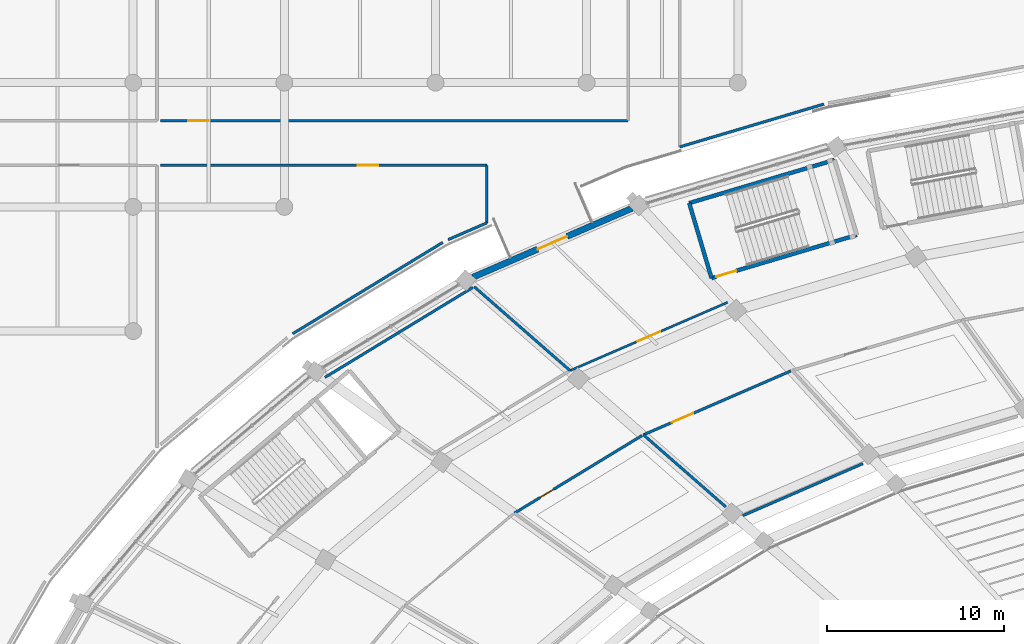
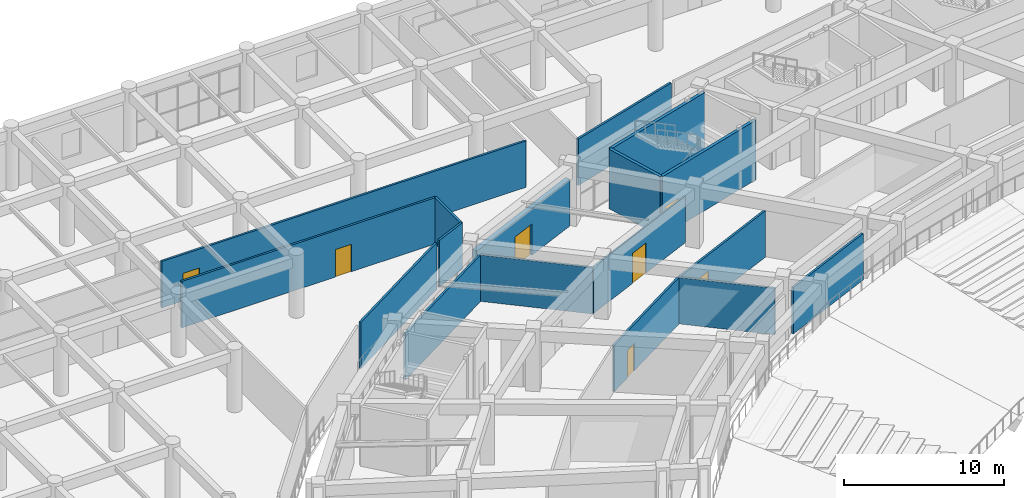
# One storey, part 110 of 152: 17 walls, 7 doors, 7 openings.
"""IFC4 building model written with IfcOpenShell, lengths in metres."""

import ifcopenshell
import ifcopenshell.guid

model = None  # the IFC model being written
_history = None  # IfcOwnerHistory: only IFC2X3 demands one
_inside = {}  # id of a spatial element -> (the spatial element, [elements in it])
_under = {}  # id of a project, library or spatial element -> (it, [spatial elements below it])
_declared = {}  # id of a project -> (the project, [libraries it declares])
_typed = {}  # id of a type object -> (the type object, [elements of that type])
_made_of = {}  # id of a material, layer set ... -> (it, [elements and type objects made of it])


def new_model(schema):
    """Start an empty IFC model of exactly this schema.

    Asked for "IFC4X3", IfcOpenShell would pick the latest addendum, in which some entities
    have other attributes; the version numbers below select the first issue.
    IFC2X3 requires an IfcOwnerHistory on every rooted entity: one is made here for all.
    """
    global model, _history
    if schema == "IFC4X3":
        model = ifcopenshell.file(schema_version=(4, 3, 0, 0))
    else:
        model = ifcopenshell.file(schema=schema)
    _inside.clear()
    _under.clear()
    _declared.clear()
    _typed.clear()
    _made_of.clear()
    _history = None
    if model.schema == "IFC2X3":
        org = make("IfcOrganization", Name="unknown")
        user = make(
            "IfcPersonAndOrganization",
            ThePerson=make("IfcPerson", FamilyName="unknown"),
            TheOrganization=org,
        )
        app = make(
            "IfcApplication",
            ApplicationDeveloper=org,
            Version="unknown",
            ApplicationFullName="unknown",
            ApplicationIdentifier="unknown",
        )
        _history = make(
            "IfcOwnerHistory",
            OwningUser=user,
            OwningApplication=app,
            ChangeAction="ADDED",
            CreationDate=0,
        )
    return model


def make(cls, **values):
    """One entity of the class cls with the attributes given. An attribute that is None is left unset."""
    return model.create_entity(
        cls, **{name: value for name, value in values.items() if value is not None}
    )


def rooted(cls, **values):
    """An entity with a GlobalId (a new one), such as an element, a storey or a relation."""
    return make(cls, GlobalId=ifcopenshell.guid.new(), OwnerHistory=_history, **values)


def si_unit(unit_type, name, prefix=None):
    """IfcSIUnit, for example si_unit("LENGTHUNIT", "METRE", prefix="MILLI")."""
    return make("IfcSIUnit", UnitType=unit_type, Prefix=prefix, Name=name)


def assignment(units):
    """IfcUnitAssignment: the units of a project."""
    return None if units is None else make("IfcUnitAssignment", Units=units)


def point(xyz):
    """IfcCartesianPoint."""
    return None if xyz is None else make("IfcCartesianPoint", Coordinates=xyz)


def direction(xyz):
    """IfcDirection."""
    return None if xyz is None else make("IfcDirection", DirectionRatios=xyz)


def frame(location, z_axis=None, x_axis=None):
    """IfcAxis2Placement3D, a coordinate frame: its origin and axes. An axis left out is left unset."""
    return make(
        "IfcAxis2Placement3D",
        Location=point(location),
        Axis=direction(z_axis),
        RefDirection=direction(x_axis),
    )


def frame_2d(location, x_axis=None):
    """IfcAxis2Placement2D, a coordinate frame in the plane: its origin and x axis."""
    return make(
        "IfcAxis2Placement2D", Location=point(location), RefDirection=direction(x_axis)
    )


def origin():
    """The frame at (0, 0, 0) with its axes left unset."""
    return frame((0.0, 0.0, 0.0))


def place(relative_to, where):
    """IfcLocalPlacement: puts the frame where relative to a parent placement (None: the world)."""
    return make(
        "IfcLocalPlacement", PlacementRelTo=relative_to, RelativePlacement=where
    )


def context(
    kind, dimensions, precision=None, world=None, true_north=None, identifier=None
):
    """IfcGeometricRepresentationContext, for example the 3D "Model" context."""
    return make(
        "IfcGeometricRepresentationContext",
        ContextIdentifier=identifier,
        ContextType=kind,
        CoordinateSpaceDimension=dimensions,
        Precision=precision,
        WorldCoordinateSystem=world,
        TrueNorth=true_north,
    )


def subcontext(parent, identifier, kind, view, scale=None):
    """IfcGeometricRepresentationSubContext, for example "Body" below "Model"."""
    return make(
        "IfcGeometricRepresentationSubContext",
        ContextIdentifier=identifier,
        ContextType=kind,
        ParentContext=parent,
        TargetScale=scale,
        TargetView=view,
    )


def project(units=None, contexts=None):
    """IfcProject with its units and contexts."""
    return rooted(
        "IfcProject",
        Name="project",
        RepresentationContexts=contexts,
        UnitsInContext=assignment(units),
    )


def spatial(cls, under=None, at=None, **own):
    """A site, building, storey or space (cls), placed at a placement, below another one or the project."""
    s = rooted(cls, ObjectPlacement=at, **own)
    if under is not None:
        _under.setdefault(under.id(), (under, []))[1].append(s)
    return s


def profile(cls, at=None, kind="AREA", **sizes):
    """A parametric profile (cls). Its sizes go by their IFC names, for example OverallWidth=200.0."""
    return make(cls, ProfileType=kind, Position=at, **sizes)


def rectangle(**sizes):
    """IfcRectangleProfileDef."""
    return profile("IfcRectangleProfileDef", **sizes)


def extrude(swept, where, along, depth):
    """IfcExtrudedAreaSolid: the profile swept, set in the frame where, extruded along a direction by depth."""
    return make(
        "IfcExtrudedAreaSolid",
        SweptArea=swept,
        Position=where,
        ExtrudedDirection=direction(along),
        Depth=depth,
    )


def shape(context_of_items, identifier, shape_type, items):
    """IfcShapeRepresentation: the items that make up one representation, for example the "Body"."""
    return make(
        "IfcShapeRepresentation",
        ContextOfItems=context_of_items,
        RepresentationIdentifier=identifier,
        RepresentationType=shape_type,
        Items=items,
    )


def material(Name=None, Category=None):
    """IfcMaterial."""
    return make("IfcMaterial", Name=Name, Category=Category)


def layer(
    of_material, thickness, ventilated=None, Name=None, Category=None, Priority=None
):
    """IfcMaterialLayer: one layer of a wall or slab, of a material (None: an air gap)."""
    return make(
        "IfcMaterialLayer",
        Material=of_material,
        LayerThickness=thickness,
        IsVentilated=ventilated,
        Name=Name,
        Category=Category,
        Priority=Priority,
    )


def layer_set(layers, Name=None):
    """IfcMaterialLayerSet."""
    return make("IfcMaterialLayerSet", MaterialLayers=layers, LayerSetName=Name)


def made_of(thing, what):
    """Note that an element or type object is made of a material, layer set ...; save() writes the relation."""
    if what is not None:
        _made_of.setdefault(what.id(), (what, []))[1].append(thing)
    return thing


def type_object(cls, material=None, **own):
    """A type object (cls), such as IfcWallType, which elements share."""
    return made_of(rooted(cls, **own), material)


def element(
    cls,
    number,
    at=None,
    inside=None,
    cuts=None,
    type_object=None,
    material=None,
    context=None,
    identifier="Body",
    shape_type=None,
    held_by="IfcProductDefinitionShape",
    body=None,
    shapes=None,
    **own,
):
    """One element of the class cls, such as IfcWall. Its Tag is "e" and its number.

    at: its placement. inside: the storey or other place that contains it. cuts: it is an
    opening in that element (IfcRelVoidsElement). A single representation is given by context,
    identifier, shape_type and body (its items); several are given by shapes. held_by: the class
    of the entity that holds the representations. save() writes the other relations.
    """
    e = rooted(cls, Tag="e%d" % number, ObjectPlacement=at, **own)
    if body is not None:
        shapes = [shape(context, identifier, shape_type, body)]
    if shapes is not None:
        e.Representation = make(held_by, Representations=shapes)
    if inside is not None:
        _inside.setdefault(inside.id(), (inside, []))[1].append(e)
    if cuts is not None:
        rooted(
            "IfcRelVoidsElement", RelatingBuildingElement=cuts, RelatedOpeningElement=e
        )
    if type_object is not None:
        _typed.setdefault(type_object.id(), (type_object, []))[1].append(e)
    return made_of(e, material)


def fill(opening, filler):
    """IfcRelFillsElement: the door or window that sits in an opening."""
    return rooted(
        "IfcRelFillsElement",
        RelatingOpeningElement=opening,
        RelatedBuildingElement=filler,
    )


def aggregate(whole, parts):
    """IfcRelAggregates: a whole, such as a stair, and the parts it consists of."""
    return rooted("IfcRelAggregates", RelatingObject=whole, RelatedObjects=parts)


def save(model, path):
    """Write the relations noted so far, then the file.

    IfcRelAggregates (storeys below a building ...), IfcRelContainedInSpatialStructure (elements
    in a storey), IfcRelDefinesByType, IfcRelAssociatesMaterial and IfcRelDeclares: one each for
    every whole, place, type object, material and project.
    """
    for whole, parts in _under.values():
        aggregate(whole, parts)
    for where, things in _inside.values():
        rooted(
            "IfcRelContainedInSpatialStructure",
            RelatedElements=things,
            RelatingStructure=where,
        )
    for kind, things in _typed.values():
        rooted("IfcRelDefinesByType", RelatedObjects=things, RelatingType=kind)
    for what, things in _made_of.values():
        rooted("IfcRelAssociatesMaterial", RelatedObjects=things, RelatingMaterial=what)
    for by, libraries in _declared.values():
        rooted("IfcRelDeclares", RelatingContext=by, RelatedDefinitions=libraries)
    model.write(path)


model = new_model("IFC4")

# Units and contexts
model_context = context("Model", 3, precision=1e-05, world=origin(), true_north=direction((0.0, 1.0)))
body_context = subcontext(model_context, "Body", "Model", "MODEL_VIEW")
ifc_project = project(units=[si_unit("LENGTHUNIT", "METRE"), si_unit("AREAUNIT", "SQUARE_METRE"), si_unit("VOLUMEUNIT", "CUBIC_METRE"), si_unit("PLANEANGLEUNIT", "RADIAN"), si_unit("MASSUNIT", "GRAM", prefix="KILO")], contexts=[model_context])

# Site, building, storey
site_placement = place(None, origin())
site = spatial("IfcSite", under=ifc_project, at=site_placement, CompositionType="ELEMENT")
building_placement = place(site_placement, origin())
building = spatial("IfcBuilding", under=site, at=building_placement, Name="Mphavela Belvedere Stadium", CompositionType="ELEMENT")
storey_placement = place(building_placement, frame((0.0, 0.0, 5.39990234375)))
storey = spatial("IfcBuildingStorey", under=building, at=storey_placement, Name="L01", CompositionType="ELEMENT", Elevation=5.39990234375)

# Walls
ifc_material_1 = material(Name="Concrete C40/50", Category="concrete")
ifc_layer_1 = layer(ifc_material_1, 0.219970703125)
ifc_layer_set_1 = layer_set([ifc_layer_1], Name="Concrete C40/50")
wall_type_1 = type_object("IfcWallType", Name="WAL-CORE-SHEAR-220", PredefinedType="SHEAR", material=ifc_layer_set_1)
wall_1_placement = place(storey_placement, frame((56.89501953125, 153.214111328125, 0.0), z_axis=(0.0, 0.0, 1.0), x_axis=(0.958675743706, 0.284500998997, 0.0)))
element("IfcWall", 1, at=wall_1_placement, inside=storey, type_object=wall_type_1, Name="Core P03 shear wall L01 rear", PredefinedType="SHEAR", context=body_context, shape_type="SweptSolid", body=[
    extrude(rectangle(XDim=8.540283203125, YDim=0.219970703125, at=frame_2d((4.27001953125, 0.0))), origin(), (0.0, 0.0, 1.0), 4.550048828125),
])
wall_2_placement = place(storey_placement, frame((58.14990234375, 148.986083984375, 0.0), z_axis=(0.0, 0.0, 1.0), x_axis=(-0.284533106789, 0.958666214665, 0.0)))
element("IfcWall", 2, at=wall_2_placement, inside=storey, type_object=wall_type_1, Name="Core P03 shear wall L01 left", PredefinedType="SHEAR", context=body_context, shape_type="SweptSolid", body=[
    extrude(rectangle(XDim=4.410400390625, YDim=0.219970703125, at=frame_2d((2.205078125, 0.0))), origin(), (0.0, 0.0, 1.0), 4.550048828125),
])

# Wall, opening, door
wall_3_placement = place(storey_placement, frame((58.14990234375, 148.986083984375, 0.0), z_axis=(0.0, 0.0, 1.0), x_axis=(0.958665631999, 0.284535069937, 0.0)))
wall_3 = element("IfcWall", 3, at=wall_3_placement, inside=storey, type_object=wall_type_1, Name="Core P03 shear wall L01 front", PredefinedType="SHEAR", context=body_context, shape_type="SweptSolid", body=[
    extrude(rectangle(XDim=8.5400390625, YDim=0.219970703125, at=frame_2d((4.27001953125, 0.0))), origin(), (0.0, 0.0, 1.0), 4.550048828125),
])
opening_1_placement = place(wall_3_placement, frame((0.300048828125, 0.0, 0.0)))
opening_1 = element("IfcOpeningElement", 4, at=opening_1_placement, cuts=wall_3, Name="Opening SD-078", PredefinedType="OPENING", context=body_context, shape_type="SweptSolid", body=[
    extrude(rectangle(XDim=1.14990234375, YDim=2.14990234375, at=frame_2d((0.574951171875, 1.074951171875))), frame((0.0, 0.1201171875, 0.0), z_axis=(0.0, -1.0, 0.0), x_axis=(1.0, 0.0, 0.0)), (0.0, 0.0, 1.0), 0.239990234375),
])
ifc_material_2 = material(Name="Steel acoustic fire-resisting stair doorset", Category="steel")
door_type_1 = type_object("IfcDoorType", Name="DR-STAIR-FIRE-1150", OperationType="NOTDEFINED", PredefinedType="DOOR", material=ifc_material_2)
door_1_placement = place(opening_1_placement, origin())
door_1 = element("IfcDoor", 5, at=door_1_placement, inside=storey, type_object=door_type_1, Name="Escape stair fire door P03 L01", OperationType="SINGLE_SWING_RIGHT", OverallHeight=2.14990234375, OverallWidth=1.14990234375, PredefinedType="DOOR", context=body_context, shape_type="SweptSolid", body=[
    extrude(rectangle(XDim=1.14990234375, YDim=2.14990234375, at=frame_2d((0.574951171875, 1.074951171875))), frame((0.0, 0.02490234375, 0.0), z_axis=(0.0, -1.0, 0.0), x_axis=(1.0, 0.0, 0.0)), (0.0, 0.0, 1.0), 0.050048828125),
])
fill(opening_1, door_1)

ifc_material_3 = material(Name="Honed ashlar limestone masonry", Category="masonry")
ifc_layer_2 = layer(ifc_material_3, 0.35009765625)
ifc_layer_set_2 = layer_set([ifc_layer_2], Name="Honed ashlar limestone masonry")
wall_type_2 = type_object("IfcWallType", Name="WAL-EXT-ASHLAR-350", PredefinedType="STANDARD", material=ifc_layer_set_2)
wall_4_placement = place(storey_placement, frame((44.69189453125, 149.029052734375, 0.0), z_axis=(0.0, 0.0, 1.0), x_axis=(0.91749374913, 0.397750198375, 0.0)))
wall_4 = element("IfcWall", 6, at=wall_4_placement, inside=storey, type_object=wall_type_2, Name="Classical link portal wall L01-17", PredefinedType="STANDARD", context=body_context, shape_type="SweptSolid", body=[
    extrude(rectangle(XDim=9.790283203125, YDim=0.35009765625, at=frame_2d((4.89501953125, 0.0))), origin(), (0.0, 0.0, 1.0), 3.570068359375),
])
opening_2_placement = place(wall_4_placement, frame((3.9951171875, 0.0, 0.0)))
opening_2 = element("IfcOpeningElement", 7, at=opening_2_placement, cuts=wall_4, Name="Opening ID-9116", PredefinedType="OPENING", context=body_context, shape_type="SweptSolid", body=[
    extrude(rectangle(XDim=1.800048828125, YDim=2.39990234375, at=frame_2d((0.89990234375, 1.199951171875))), frame((0.0, 0.18505859375, 0.0), z_axis=(0.0, -1.0, 0.0), x_axis=(1.0, 0.0, 0.0)), (0.0, 0.0, 1.0), 0.3701171875),
])
ifc_material_4 = material(Name="Glazed bronze-anodised steel exit doorset", Category="steel")
door_type_2 = type_object("IfcDoorType", Name="DR-EXT-01", OperationType="NOTDEFINED", PredefinedType="DOOR", material=ifc_material_4)
door_2_placement = place(opening_2_placement, origin())
door_2 = element("IfcDoor", 8, at=door_2_placement, inside=storey, type_object=door_type_2, Name="Wing promenade link doorset L01-17", OperationType="DOUBLE_DOOR_SINGLE_SWING", OverallHeight=2.39990234375, OverallWidth=1.800048828125, PredefinedType="DOOR", context=body_context, shape_type="SweptSolid", body=[
    extrude(rectangle(XDim=1.800048828125, YDim=2.39990234375, at=frame_2d((0.89990234375, 1.199951171875))), frame((0.0, 0.02490234375, 0.0), z_axis=(0.0, -1.0, 0.0), x_axis=(1.0, 0.0, 0.0)), (0.0, 0.0, 1.0), 0.050048828125),
])
fill(opening_2, door_2)

ifc_material_5 = material(Name="Moisture-resistant sanitary partition assembly")
ifc_layer_3 = layer(ifc_material_5, 0.125)
ifc_layer_set_3 = layer_set([ifc_layer_3], Name="Moisture-resistant sanitary partition assembly")
wall_type_3 = type_object("IfcWallType", Name="WAL-PART-125", PredefinedType="PARTITIONING", material=ifc_layer_set_3)
wall_5_placement = place(storey_placement, frame((59.0537109375, 147.61865234375, 0.0), z_axis=(0.0, 0.0, 1.0), x_axis=(-0.917508957037, -0.39771511633, 0.0)))
wall_5 = element("IfcWall", 9, at=wall_5_placement, inside=storey, type_object=wall_type_3, Name="Room L01-76 corridor partition", PredefinedType="PARTITIONING", context=body_context, shape_type="SweptSolid", body=[
    extrude(rectangle(XDim=9.67138671875, YDim=0.125, at=frame_2d((4.835693359375, 0.0))), origin(), (0.0, 0.0, 1.0), 3.550048828125),
])
opening_3_placement = place(wall_5_placement, frame((4.1357421875, 0.0, 0.0)))
opening_3 = element("IfcOpeningElement", 10, at=opening_3_placement, cuts=wall_5, Name="Opening ID-108", PredefinedType="OPENING", context=body_context, shape_type="SweptSolid", body=[
    extrude(rectangle(XDim=1.39990234375, YDim=2.300048828125, at=frame_2d((0.699951171875, 1.14990234375))), frame((0.0, 0.072509765625, 0.0), z_axis=(0.0, -1.0, 0.0), x_axis=(1.0, 0.0, 0.0)), (0.0, 0.0, 1.0), 0.14501953125),
])
ifc_material_6 = material(Name="Hardwood acoustic timber doorset", Category="wood")
door_type_3 = type_object("IfcDoorType", Name="DR-INT-36", OperationType="NOTDEFINED", PredefinedType="DOOR", material=ifc_material_6)
door_3_placement = place(opening_3_placement, origin())
door_3 = element("IfcDoor", 11, at=door_3_placement, inside=storey, type_object=door_type_3, Name="Room L01-76 entrance door ID-108", OperationType="SINGLE_SWING_RIGHT", OverallHeight=2.300048828125, OverallWidth=1.39990234375, PredefinedType="DOOR", context=body_context, shape_type="SweptSolid", body=[
    extrude(rectangle(XDim=1.39990234375, YDim=2.300048828125, at=frame_2d((0.699951171875, 1.14990234375))), frame((0.0, 0.02490234375, 0.0), z_axis=(0.0, -1.0, 0.0), x_axis=(1.0, 0.0, 0.0)), (0.0, 0.0, 1.0), 0.050048828125),
])
fill(opening_3, door_3)

ifc_material_7 = material(Name="Acoustic gypsum stud partition assembly")
ifc_layer_4 = layer(ifc_material_7, 0.14990234375)
ifc_layer_set_4 = layer_set([ifc_layer_4], Name="Acoustic gypsum stud partition assembly")
wall_type_4 = type_object("IfcWallType", Name="WAL-PART-150", PredefinedType="PARTITIONING", material=ifc_layer_set_4)
wall_6_placement = place(storey_placement, frame((54.315185546875, 140.15380859375, 0.0), z_axis=(0.0, 0.0, 1.0), x_axis=(0.917494590455, 0.397748257677, 0.0)))
wall_6 = element("IfcWall", 12, at=wall_6_placement, inside=storey, type_object=wall_type_4, Name="Room L01-75 corridor partition", PredefinedType="PARTITIONING", context=body_context, shape_type="SweptSolid", body=[
    extrude(rectangle(XDim=9.04931640625, YDim=0.14990234375, at=frame_2d((4.524658203125, 0.0))), origin(), (0.0, 0.0, 1.0), 3.550048828125),
])
opening_4_placement = place(wall_6_placement, frame((1.73779296875, 0.0, 0.0)))
opening_4 = element("IfcOpeningElement", 13, at=opening_4_placement, cuts=wall_6, Name="Opening ID-107", PredefinedType="OPENING", context=body_context, shape_type="SweptSolid", body=[
    extrude(rectangle(XDim=1.320068359375, YDim=2.300048828125, at=frame_2d((0.66015625, 1.14990234375))), frame((0.0, 0.0849609375, 0.0), z_axis=(0.0, -1.0, 0.0), x_axis=(1.0, 0.0, 0.0)), (0.0, 0.0, 1.0), 0.169921875),
])
ifc_material_8 = material(Name="Hardwood acoustic timber doorset", Category="wood")
door_type_4 = type_object("IfcDoorType", Name="DR-INT-35", OperationType="NOTDEFINED", PredefinedType="DOOR", material=ifc_material_8)
door_4_placement = place(opening_4_placement, origin())
door_4 = element("IfcDoor", 14, at=door_4_placement, inside=storey, type_object=door_type_4, Name="Room L01-75 entrance door ID-107", OperationType="SINGLE_SWING_LEFT", OverallHeight=2.300048828125, OverallWidth=1.320068359375, PredefinedType="DOOR", context=body_context, shape_type="SweptSolid", body=[
    extrude(rectangle(XDim=1.320068359375, YDim=2.300048828125, at=frame_2d((0.66015625, 1.14990234375))), frame((0.0, 0.02490234375, 0.0), z_axis=(0.0, -1.0, 0.0), x_axis=(1.0, 0.0, 0.0)), (0.0, 0.0, 1.0), 0.050048828125),
])
fill(opening_4, door_4)

wall_7_placement = place(storey_placement, frame((47.04345703125, 135.73974609375, 0.0), z_axis=(0.0, 0.0, 1.0), x_axis=(0.854330104408, 0.519730769439, 0.0)))
wall_7 = element("IfcWall", 15, at=wall_7_placement, inside=storey, type_object=wall_type_4, Name="Room L01-78 corridor partition", PredefinedType="PARTITIONING", context=body_context, shape_type="SweptSolid", body=[
    extrude(rectangle(XDim=8.420166015625, YDim=0.14990234375, at=frame_2d((4.2099609375, 0.0))), origin(), (0.0, 0.0, 1.0), 3.550048828125),
])
opening_5_placement = place(wall_7_placement, frame((1.696044921875, 0.0, 0.0)))
opening_5 = element("IfcOpeningElement", 16, at=opening_5_placement, cuts=wall_7, Name="Opening ID-109", PredefinedType="OPENING", context=body_context, shape_type="SweptSolid", body=[
    extrude(rectangle(XDim=0.89990234375, YDim=2.10009765625, at=frame_2d((0.449951171875, 1.050048828125))), frame((0.0, 0.0849609375, 0.0), z_axis=(0.0, -1.0, 0.0), x_axis=(1.0, 0.0, 0.0)), (0.0, 0.0, 1.0), 0.169921875),
])
ifc_material_9 = material(Name="Hardwood acoustic timber doorset", Category="wood")
door_type_5 = type_object("IfcDoorType", Name="DR-INT-01", OperationType="NOTDEFINED", PredefinedType="DOOR", material=ifc_material_9)
door_5_placement = place(opening_5_placement, origin())
door_5 = element("IfcDoor", 17, at=door_5_placement, inside=storey, type_object=door_type_5, Name="Room L01-78 entrance door ID-109", OperationType="SINGLE_SWING_LEFT", OverallHeight=2.10009765625, OverallWidth=0.89990234375, PredefinedType="DOOR", context=body_context, shape_type="SweptSolid", body=[
    extrude(rectangle(XDim=0.89990234375, YDim=2.10009765625, at=frame_2d((0.449951171875, 1.050048828125))), frame((0.0, 0.02490234375, 0.0), z_axis=(0.0, -1.0, 0.0), x_axis=(1.0, 0.0, 0.0)), (0.0, 0.0, 1.0), 0.050048828125),
])
fill(opening_5, door_5)

wall_8_placement = place(storey_placement, frame((27.10009765625, 155.340087890625, 0.0), z_axis=(0.0, 0.0, 1.0), x_axis=(1.0, 0.0, 0.0)))
wall_8 = element("IfcWall", 18, at=wall_8_placement, inside=storey, type_object=wall_type_4, Name="Room L01-175 corridor partition", PredefinedType="PARTITIONING", context=body_context, shape_type="SweptSolid", body=[
    extrude(rectangle(XDim=18.389892578125, YDim=0.14990234375, at=frame_2d((9.19482421875, 0.0))), origin(), (0.0, 0.0, 1.0), 3.550048828125),
])
opening_6_placement = place(wall_8_placement, frame((11.116455078125, 0.0, 0.0)))
opening_6 = element("IfcOpeningElement", 19, at=opening_6_placement, cuts=wall_8, Name="Opening ID-439", PredefinedType="OPENING", context=body_context, shape_type="SweptSolid", body=[
    extrude(rectangle(XDim=1.139892578125, YDim=2.10009765625, at=frame_2d((0.56982421875, 1.050048828125))), frame((0.0, 0.0849609375, 0.0), z_axis=(0.0, -1.0, 0.0), x_axis=(1.0, 0.0, 0.0)), (0.0, 0.0, 1.0), 0.169921875),
])
ifc_material_10 = material(Name="Hardwood acoustic timber doorset", Category="wood")
door_type_6 = type_object("IfcDoorType", Name="DR-INT-07", OperationType="NOTDEFINED", PredefinedType="DOOR", material=ifc_material_10)
door_6_placement = place(opening_6_placement, origin())
door_6 = element("IfcDoor", 20, at=door_6_placement, inside=storey, type_object=door_type_6, Name="Room L01-175 entrance door ID-439", OperationType="SINGLE_SWING_LEFT", OverallHeight=2.10009765625, OverallWidth=1.139892578125, PredefinedType="DOOR", context=body_context, shape_type="SweptSolid", body=[
    extrude(rectangle(XDim=1.139892578125, YDim=2.10009765625, at=frame_2d((0.56982421875, 1.050048828125))), frame((0.0, 0.02490234375, 0.0), z_axis=(0.0, -1.0, 0.0), x_axis=(1.0, 0.0, 0.0)), (0.0, 0.0, 1.0), 0.050048828125),
])
fill(opening_6, door_6)

wall_9_placement = place(storey_placement, frame((53.449951171875, 157.860107421875, 0.0), z_axis=(0.0, 0.0, 1.0), x_axis=(-1.0, 0.0, 0.0)))
wall_9 = element("IfcWall", 21, at=wall_9_placement, inside=storey, type_object=wall_type_4, Name="Room L01-176 corridor partition", PredefinedType="PARTITIONING", context=body_context, shape_type="SweptSolid", body=[
    extrude(rectangle(XDim=26.349853515625, YDim=0.14990234375, at=frame_2d((13.1748046875, 0.0))), origin(), (0.0, 0.0, 1.0), 3.550048828125),
])
opening_7_placement = place(wall_9_placement, frame((23.62353515625, 0.0, 0.0)))
opening_7 = element("IfcOpeningElement", 22, at=opening_7_placement, cuts=wall_9, Name="Opening ID-440", PredefinedType="OPENING", context=body_context, shape_type="SweptSolid", body=[
    extrude(rectangle(XDim=1.179931640625, YDim=2.10009765625, at=frame_2d((0.58984375, 1.050048828125))), frame((0.0, 0.0849609375, 0.0), z_axis=(0.0, -1.0, 0.0), x_axis=(1.0, 0.0, 0.0)), (0.0, 0.0, 1.0), 0.169921875),
])
ifc_material_11 = material(Name="Hardwood acoustic timber doorset", Category="wood")
door_type_7 = type_object("IfcDoorType", Name="DR-INT-08", OperationType="NOTDEFINED", PredefinedType="DOOR", material=ifc_material_11)
door_7_placement = place(opening_7_placement, origin())
door_7 = element("IfcDoor", 23, at=door_7_placement, inside=storey, type_object=door_type_7, Name="Room L01-176 entrance door ID-440", OperationType="SINGLE_SWING_RIGHT", OverallHeight=2.10009765625, OverallWidth=1.179931640625, PredefinedType="DOOR", context=body_context, shape_type="SweptSolid", body=[
    extrude(rectangle(XDim=1.179931640625, YDim=2.10009765625, at=frame_2d((0.58984375, 1.050048828125))), frame((0.0, 0.02490234375, 0.0), z_axis=(0.0, -1.0, 0.0), x_axis=(1.0, 0.0, 0.0)), (0.0, 0.0, 1.0), 0.050048828125),
])
fill(opening_7, door_7)

# Walls
wall_10_placement = place(storey_placement, frame((66.681884765625, 138.532958984375, 0.0), z_axis=(0.0, 0.0, 1.0), x_axis=(-0.917506125003, -0.397721649628, 0.0)))
element("IfcWall", 24, at=wall_10_placement, inside=storey, type_object=wall_type_4, Name="Room divider partition L01-0188", PredefinedType="PARTITIONING", context=body_context, shape_type="SweptSolid", body=[
    extrude(rectangle(XDim=7.37841796875, YDim=0.14990234375, at=frame_2d((3.689208984375, 0.0))), origin(), (0.0, 0.0, 1.0), 3.550048828125),
])
wall_11_placement = place(storey_placement, frame((58.960205078125, 136.08935546875, 0.0), z_axis=(0.0, 0.0, 1.0), x_axis=(-0.752571794077, 0.658510208546, 0.0)))
element("IfcWall", 25, at=wall_11_placement, inside=storey, type_object=wall_type_4, Name="Room divider partition L01-0189", PredefinedType="PARTITIONING", context=body_context, shape_type="SweptSolid", body=[
    extrude(rectangle(XDim=6.172119140625, YDim=0.14990234375, at=frame_2d((3.0859375, 0.0))), origin(), (0.0, 0.0, 1.0), 3.550048828125),
])
wall_12_placement = place(storey_placement, frame((50.18017578125, 143.772216796875, 0.0), z_axis=(0.0, 0.0, 1.0), x_axis=(-0.752576694707, 0.658504607869, 0.0)))
element("IfcWall", 26, at=wall_12_placement, inside=storey, type_object=wall_type_4, Name="Room divider partition L01-0190", PredefinedType="PARTITIONING", context=body_context, shape_type="SweptSolid", body=[
    extrude(rectangle(XDim=7.178466796875, YDim=0.14990234375, at=frame_2d((3.58935546875, 0.0))), origin(), (0.0, 0.0, 1.0), 3.550048828125),
])
wall_13_placement = place(storey_placement, frame((36.364990234375, 143.390869140625, 0.0), z_axis=(0.0, 0.0, 1.0), x_axis=(0.854323689683, 0.519741313777, 0.0)))
element("IfcWall", 27, at=wall_13_placement, inside=storey, type_object=wall_type_4, Name="Room divider partition L01-0193", PredefinedType="PARTITIONING", context=body_context, shape_type="SweptSolid", body=[
    extrude(rectangle(XDim=9.755859375, YDim=0.14990234375, at=frame_2d((4.8779296875, 0.0))), origin(), (0.0, 0.0, 1.0), 3.550048828125),
])
wall_14_placement = place(storey_placement, frame((43.00439453125, 150.99658203125, 0.0), z_axis=(0.0, 0.0, 1.0), x_axis=(-0.854333268174, -0.519725568826, 0.0)))
element("IfcWall", 28, at=wall_14_placement, inside=storey, type_object=wall_type_4, Name="Room divider partition L01-0950", PredefinedType="PARTITIONING", context=body_context, shape_type="SweptSolid", body=[
    extrude(rectangle(XDim=9.90185546875, YDim=0.14990234375, at=frame_2d((4.950927734375, 0.0))), origin(), (0.0, 0.0, 1.0), 3.550048828125),
])
wall_15_placement = place(storey_placement, frame((45.489990234375, 155.340087890625, 0.0), z_axis=(0.0, 0.0, 1.0), x_axis=(0.0, -1.0, 0.0)))
element("IfcWall", 29, at=wall_15_placement, inside=storey, type_object=wall_type_4, Name="Room divider partition L01-0952", PredefinedType="PARTITIONING", context=body_context, shape_type="SweptSolid", body=[
    extrude(rectangle(XDim=3.240234375, YDim=0.14990234375, at=frame_2d((1.6201171875, 0.0))), origin(), (0.0, 0.0, 1.0), 3.550048828125),
])
wall_16_placement = place(storey_placement, frame((45.489990234375, 152.099853515625, 0.0), z_axis=(0.0, 0.0, 1.0), x_axis=(-0.917484400903, -0.397771761314, 0.0)))
element("IfcWall", 30, at=wall_16_placement, inside=storey, type_object=wall_type_4, Name="Room divider partition L01-0953", PredefinedType="PARTITIONING", context=body_context, shape_type="SweptSolid", body=[
    extrude(rectangle(XDim=2.37646484375, YDim=0.14990234375, at=frame_2d((1.188232421875, 0.0))), origin(), (0.0, 0.0, 1.0), 3.550048828125),
])
wall_17_placement = place(storey_placement, frame((64.4873046875, 158.79345703125, 0.0), z_axis=(0.0, 0.0, 1.0), x_axis=(-0.95866000112, -0.284554041006, 0.0)))
element("IfcWall", 31, at=wall_17_placement, inside=storey, type_object=wall_type_4, Name="Room divider partition L01-0973", PredefinedType="PARTITIONING", context=body_context, shape_type="SweptSolid", body=[
    extrude(rectangle(XDim=8.477783203125, YDim=0.14990234375, at=frame_2d((4.23876953125, 0.0))), origin(), (0.0, 0.0, 1.0), 3.550048828125),
])

save(model, "model.ifc")
